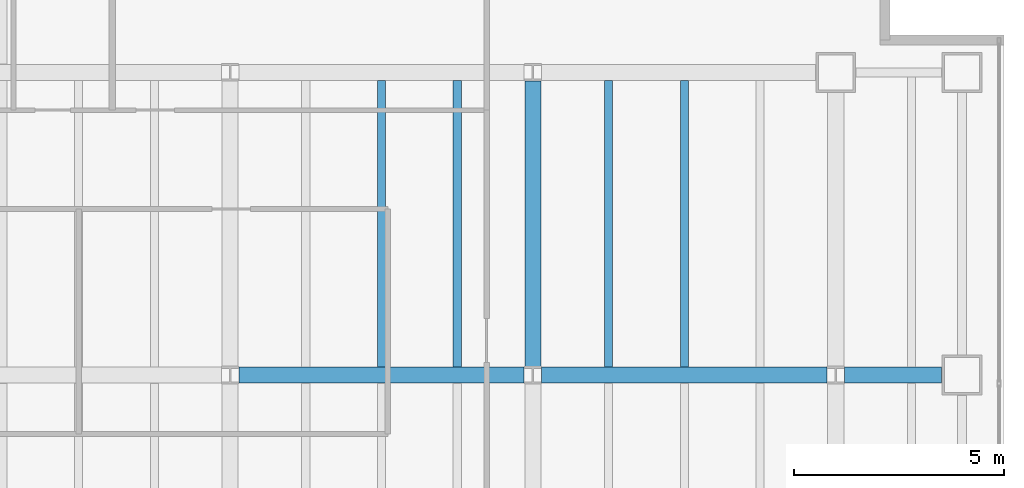
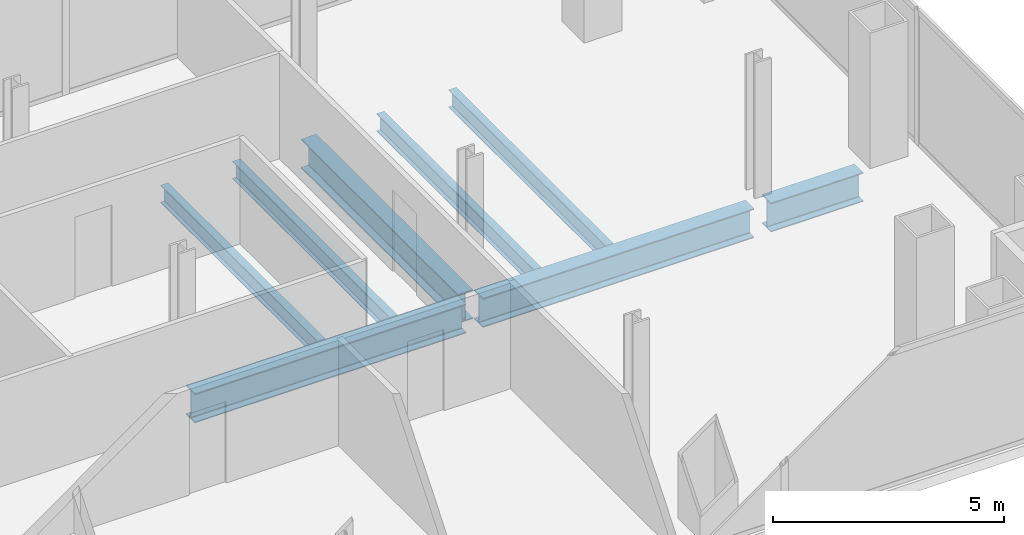
# One storey, part 12 of 23: 8 beams.
"""IFC4 building model written with IfcOpenShell, lengths in metres."""

from ifc_helpers import new_model, si_unit, direction, frame, origin, origin_2d, place, context, subcontext, project, spatial, i_section, extrude, material, material_profile, profile_set, type_object, element, save


model = new_model("IFC4")

# Units and contexts
model_context = context("Model", 3, precision=1e-05, world=origin(), true_north=direction((0.0, 1.0)))
body_context = subcontext(model_context, "Body", "Model", "MODEL_VIEW")
ifc_project = project(units=[si_unit("LENGTHUNIT", "METRE"), si_unit("AREAUNIT", "SQUARE_METRE"), si_unit("VOLUMEUNIT", "CUBIC_METRE"), si_unit("PLANEANGLEUNIT", "RADIAN"), si_unit("MASSUNIT", "GRAM", prefix="KILO")], contexts=[model_context])

# Site, building, storey
site_placement = place(None, origin())
site = spatial("IfcSite", under=ifc_project, at=site_placement, CompositionType="ELEMENT")
building_placement = place(site_placement, origin())
building = spatial("IfcBuilding", under=site, at=building_placement, Name="Cobrela Telecom Tower", CompositionType="ELEMENT")
storey_placement = place(building_placement, frame((0.0, 0.0, 109.89990234375)))
storey = spatial("IfcBuildingStorey", under=building, at=storey_placement, Name="L27", CompositionType="ELEMENT", Elevation=109.89990234375)

# Beams
ifc_material = material(Name="Steel ASTM A992 Grade 50", Category="steel")
ifc_material_profile_1 = material_profile(ifc_material, i_section(OverallWidth=0.381103515625, OverallDepth=0.77197265625, WebThickness=0.0166015625, FlangeThickness=0.027099609375, FilletRadius=0.01904296875, at=origin_2d()), Name="W30X173")
ifc_profile_set_1 = profile_set([ifc_material_profile_1], Name="Steel ASTM A992 Grade 50")
beam_type_1 = type_object("IfcBeamType", Name="BM-GIRD-04", PredefinedType="USERDEFINED", material=ifc_profile_set_1)
for number, where, z_axis, x_axis, name in (
    (1, (29.009521484375, 14.39990234375, -0.656005859375), (1.0, 0.0, 0.0), (0.0, 1.0, 0.0), "L27 Primary Girder X15"),
    (2, (36.20947265625, 14.39990234375, -0.656005859375), (1.0, 0.0, 0.0), (0.0, 1.0, 0.0), "L27 Primary Girder X16"),
):
    element("IfcBeam", number, at=place(storey_placement, frame(where, z_axis=z_axis, x_axis=x_axis)), inside=storey, type_object=beam_type_1, Name=name, ObjectType="GIRDER", PredefinedType="USERDEFINED", context=body_context, shape_type="SweptSolid", body=[
        extrude(i_section(OverallWidth=0.381103515625, OverallDepth=0.77197265625, WebThickness=0.0166015625, FlangeThickness=0.027099609375, FilletRadius=0.01904296875, at=origin_2d()), origin(), (0.0, 0.0, 1.0), 6.781005859375),
    ])
beam_1_placement = place(storey_placement, frame((43.409423828125, 14.39990234375, -0.656005859375), z_axis=(1.0, 0.0, 0.0), x_axis=(0.0, 1.0, 0.0)))
element("IfcBeam", 3, at=beam_1_placement, inside=storey, type_object=beam_type_1, Name="L27 Primary Girder X17", ObjectType="GIRDER", PredefinedType="USERDEFINED", context=body_context, shape_type="SweptSolid", body=[
    extrude(i_section(OverallWidth=0.381103515625, OverallDepth=0.77197265625, WebThickness=0.0166015625, FlangeThickness=0.027099609375, FilletRadius=0.01904296875, at=origin_2d()), origin(), (0.0, 0.0, 1.0), 2.310546875),
])
beam_2_placement = place(storey_placement, frame((36.0, 14.609619140625, -0.656005859375), z_axis=(0.0, 1.0, 0.0), x_axis=(-1.0, 0.0, 0.0)))
element("IfcBeam", 4, at=beam_2_placement, inside=storey, type_object=beam_type_1, Name="L27 Primary Girder Y51", ObjectType="GIRDER", PredefinedType="USERDEFINED", context=body_context, shape_type="SweptSolid", body=[
    extrude(i_section(OverallWidth=0.381103515625, OverallDepth=0.77197265625, WebThickness=0.0166015625, FlangeThickness=0.027099609375, FilletRadius=0.01904296875, at=origin_2d()), origin(), (0.0, 0.0, 1.0), 6.78076171875),
])
ifc_material_profile_2 = material_profile(ifc_material, i_section(OverallWidth=0.193115234375, OverallDepth=0.467041015625, WebThickness=0.011474609375, FlangeThickness=0.01904296875, FilletRadius=0.012939453125, at=origin_2d()), Name="W18X65")
ifc_profile_set_2 = profile_set([ifc_material_profile_2], Name="Steel ASTM A992 Grade 50")
beam_type_2 = type_object("IfcBeamType", Name="BM-JOIST-03", PredefinedType="JOIST", material=ifc_profile_set_2)
for number, where, z_axis, x_axis, name in (
    (5, (32.39990234375, 14.595458984375, -0.50341796875), (0.0, 1.0, 0.0), (-1.0, 0.0, 0.0), "L27 Secondary Composite Floor Beam J30"),
    (6, (34.199951171875, 14.595458984375, -0.50341796875), (0.0, 1.0, 0.0), (-1.0, 0.0, 0.0), "L27 Secondary Composite Floor Beam J32"),
    (7, (37.800048828125, 14.595458984375, -0.50341796875), (0.0, 1.0, 0.0), (-1.0, 0.0, 0.0), "L27 Secondary Composite Floor Beam J34"),
    (8, (39.60009765625, 14.595458984375, -0.50341796875), (0.0, 1.0, 0.0), (-1.0, 0.0, 0.0), "L27 Secondary Composite Floor Beam J36"),
):
    element("IfcBeam", number, at=place(storey_placement, frame(where, z_axis=z_axis, x_axis=x_axis)), inside=storey, type_object=beam_type_2, Name=name, PredefinedType="JOIST", context=body_context, shape_type="SweptSolid", body=[
        extrude(i_section(OverallWidth=0.193115234375, OverallDepth=0.467041015625, WebThickness=0.011474609375, FlangeThickness=0.01904296875, FilletRadius=0.012939453125, at=origin_2d()), origin(), (0.0, 0.0, 1.0), 6.80908203125),
    ])

save(model, "model.ifc")
